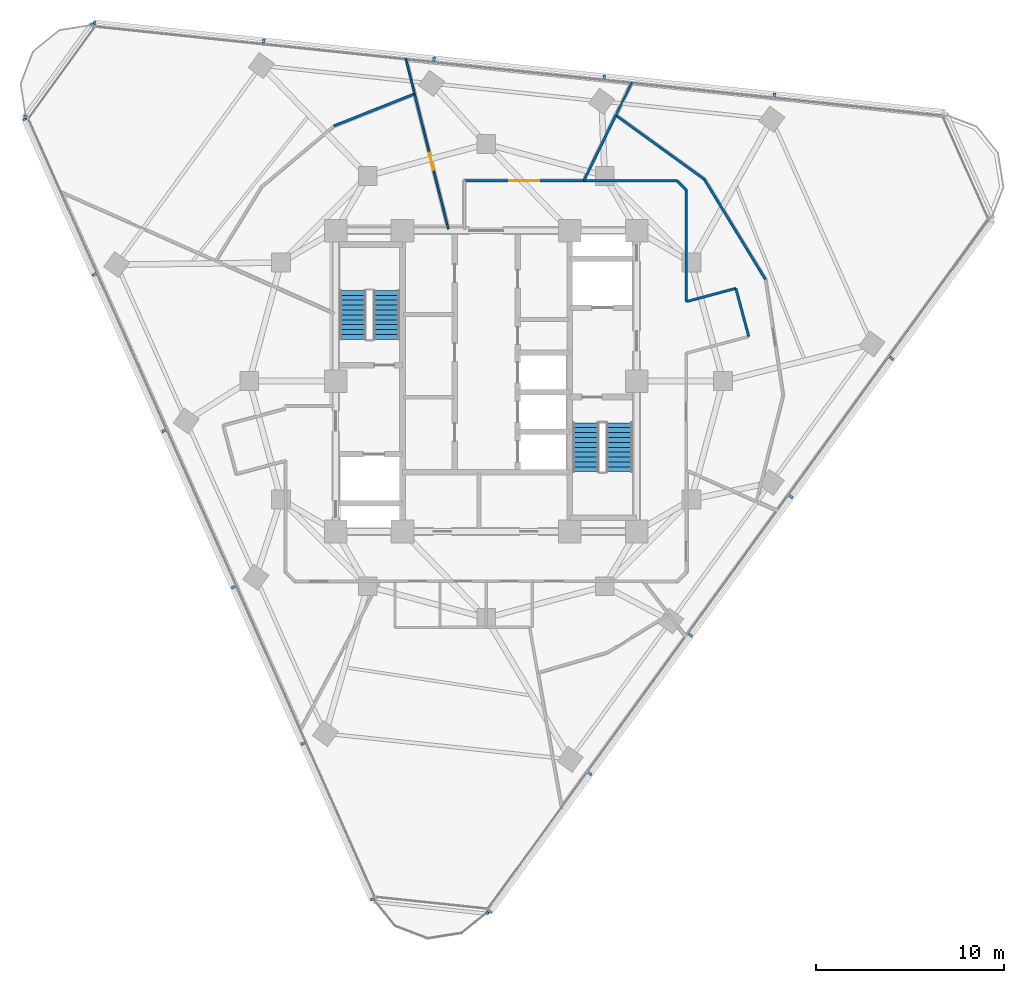
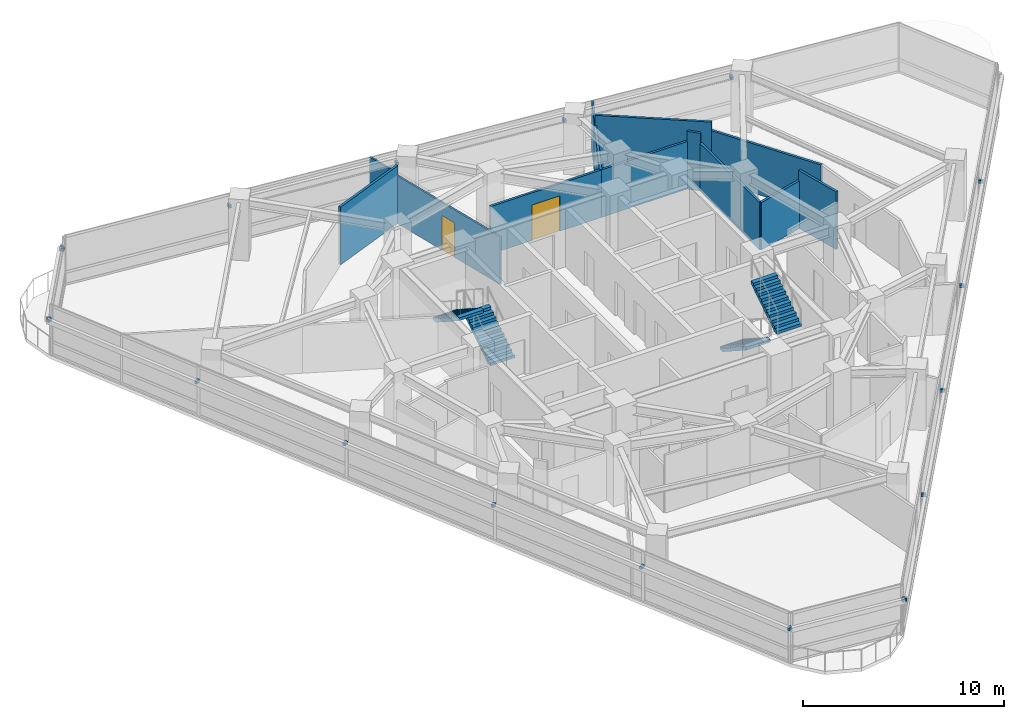
# One storey, part 10 of 15: 19 discrete accessories, 13 walls, 4 stair flights, 2 doors, 2 openings, 2 elements without a shape of their own.
"""IFC4 building model written with IfcOpenShell, lengths in metres."""

from ifc_helpers import new_model, si_unit, direction, frame, frame_2d, origin, origin_2d, place, context, subcontext, project, spatial, polyline, rectangle, outline, extrude, material, layer, layer_set, type_object, element, fill, aggregate, save


model = new_model("IFC4")

# Units and contexts
model_context = context("Model", 3, precision=1e-05, world=origin(), true_north=direction((0.0, 1.0)))
body_context = subcontext(model_context, "Body", "Model", "MODEL_VIEW")
ifc_project = project(units=[si_unit("LENGTHUNIT", "METRE"), si_unit("AREAUNIT", "SQUARE_METRE"), si_unit("VOLUMEUNIT", "CUBIC_METRE"), si_unit("PLANEANGLEUNIT", "RADIAN"), si_unit("MASSUNIT", "GRAM", prefix="KILO")], contexts=[model_context])

# Site, building, storey
site_placement = place(None, origin())
site = spatial("IfcSite", under=ifc_project, at=site_placement, CompositionType="ELEMENT")
building_placement = place(site_placement, origin())
building = spatial("IfcBuilding", under=site, at=building_placement, Name="Terralouvre Media Tower", CompositionType="ELEMENT")
storey_placement = place(building_placement, frame((0.0, 0.0, 230.0)))
storey = spatial("IfcBuildingStorey", under=building, at=storey_placement, Name="L59", CompositionType="ELEMENT", Elevation=230.0)

# Wall
ifc_material_1 = material(Name="Low-iron laminated double glazing with solar-control coating", Category="glass")
ifc_layer_1 = layer(ifc_material_1, 0.10009765625, Name="Demountable Glazed Office Partition PT-GL100")
ifc_layer_set_1 = layer_set([ifc_layer_1], Name="Low-iron laminated double glazing with solar-control coating")
wall_type_1 = type_object("IfcWallType", Name="Demountable Glazed Office Partition PT-GL100", PredefinedType="MOVABLE", material=ifc_layer_set_1)
wall_1_placement = place(storey_placement, frame((7.74658203125, 15.882080078125, 0.0), z_axis=(0.0, 0.0, 1.0), x_axis=(-0.438571753549, -0.898696176129, 0.0)))
element("IfcWall", 1, at=wall_1_placement, inside=storey, type_object=wall_type_1, Name="L59 Interior Partition 048", PredefinedType="MOVABLE", context=body_context, shape_type="SweptSolid", body=[
    extrude(rectangle(XDim=1.9482421875, YDim=0.10009765625, at=frame_2d((0.97412109375, 0.0))), origin(), (0.0, 0.0, 1.0), 3.034912109375),
])

# Wall, opening, door
wall_2_placement = place(storey_placement, frame((-3.80810546875, 15.27099609375, 0.0), z_axis=(0.0, 0.0, 1.0), x_axis=(0.241993010569, -0.970277992555, 0.0)))
wall_2 = element("IfcWall", 2, at=wall_2_placement, inside=storey, type_object=wall_type_1, Name="L59 Interior Partition 049", PredefinedType="MOVABLE", context=body_context, shape_type="SweptSolid", body=[
    extrude(rectangle(XDim=7.4111328125, YDim=0.10009765625, at=frame_2d((3.70556640625, 0.0))), origin(), (0.0, 0.0, 1.0), 2.885009765625),
])
opening_1_placement = place(wall_2_placement, frame((3.24560546875, 0.0, 0.0)))
opening_1 = element("IfcOpeningElement", 3, at=opening_1_placement, cuts=wall_2, Name="Opening ID-03-92X210", PredefinedType="OPENING", context=body_context, shape_type="SweptSolid", body=[
    extrude(rectangle(XDim=0.919921875, YDim=2.10009765625, at=frame_2d((0.4599609375, 1.050048828125))), frame((0.0, 0.06005859375, 0.0), z_axis=(0.0, -1.0, 0.0), x_axis=(1.0, 0.0, 0.0)), (0.0, 0.0, 1.0), 0.1201171875),
])
ifc_material_2 = material(Name="Engineered hardwood acoustic timber leaf", Category="wood")
door_type_1 = type_object("IfcDoorType", Name="Accessible Restroom and Suite Door ID-03 (920x2100)", OperationType="NOTDEFINED", PredefinedType="DOOR", material=ifc_material_2)
door_1_placement = place(opening_1_placement, origin())
door_1 = element("IfcDoor", 4, at=door_1_placement, inside=storey, type_object=door_type_1, Name="L59 Fact-Check Reference Library 9 Door", OperationType="SINGLE_SWING_LEFT", OverallHeight=2.10009765625, OverallWidth=0.919921875, PredefinedType="DOOR", context=body_context, shape_type="SweptSolid", body=[
    extrude(rectangle(XDim=0.919921875, YDim=2.10009765625, at=frame_2d((0.4599609375, 1.050048828125))), frame((0.0, 0.02490234375, 0.0), z_axis=(0.0, -1.0, 0.0), x_axis=(1.0, 0.0, 0.0)), (0.0, 0.0, 1.0), 0.050048828125),
])
fill(opening_1, door_1)

# Walls
wall_3_placement = place(storey_placement, frame((-4.275390625, 17.1455078125, 0.0), z_axis=(0.0, 0.0, 1.0), x_axis=(0.241881394388, -0.970305823464, 0.0)))
element("IfcWall", 5, at=wall_3_placement, inside=storey, type_object=wall_type_1, Name="L59 Interior Partition 050", PredefinedType="MOVABLE", context=body_context, shape_type="SweptSolid", body=[
    extrude(rectangle(XDim=1.931884765625, YDim=0.10009765625, at=frame_2d((0.9658203125, 0.0))), origin(), (0.0, 0.0, 1.0), 3.034912109375),
])
ifc_material_3 = material(Name="Fire-rated gypsum board drywall partition")
ifc_layer_2 = layer(ifc_material_3, 0.135009765625, Name="Newsroom Acoustic Partition PT-135")
ifc_layer_set_2 = layer_set([ifc_layer_2], Name="Fire-rated gypsum board drywall partition")
wall_type_2 = type_object("IfcWallType", Name="Newsroom Acoustic Partition PT-135", PredefinedType="PARTITIONING", material=ifc_layer_set_2)
wall_4_placement = place(storey_placement, frame((13.9619140625, 2.368896484375, 0.0), z_axis=(0.0, 0.0, 1.0), x_axis=(-0.258413725385, 0.966034340245, 0.0)))
element("IfcWall", 6, at=wall_4_placement, inside=storey, type_object=wall_type_2, Name="L59 Interior Partition 010", PredefinedType="PARTITIONING", context=body_context, shape_type="SweptSolid", body=[
    extrude(rectangle(XDim=2.650146484375, YDim=0.135009765625, at=frame_2d((1.3251953125, 0.0))), origin(), (0.0, 0.0, 1.0), 3.5),
])
wall_5_placement = place(storey_placement, frame((13.277099609375, 4.928955078125, 0.0), z_axis=(0.0, 0.0, 1.0), x_axis=(-0.965934830229, -0.258785439601, 0.0)))
element("IfcWall", 7, at=wall_5_placement, inside=storey, type_object=wall_type_2, Name="L59 Interior Partition 011", PredefinedType="PARTITIONING", context=body_context, shape_type="SweptSolid", body=[
    extrude(rectangle(XDim=2.719970703125, YDim=0.135009765625, at=frame_2d((1.35986328125, 0.0))), origin(), (0.0, 0.0, 1.0), 2.885009765625),
])
wall_6_placement = place(storey_placement, frame((10.64990234375, 4.22509765625, 0.0), z_axis=(0.0, 0.0, 1.0), x_axis=(0.0, 1.0, 0.0)))
element("IfcWall", 8, at=wall_6_placement, inside=storey, type_object=wall_type_2, Name="L59 Interior Partition 012", PredefinedType="PARTITIONING", context=body_context, shape_type="SweptSolid", body=[
    extrude(rectangle(XDim=5.9248046875, YDim=0.135009765625, at=frame_2d((2.96240234375, 0.0))), origin(), (0.0, 0.0, 1.0), 2.885009765625),
])
wall_7_placement = place(storey_placement, frame((10.64990234375, 10.14990234375, 0.0), z_axis=(0.0, 0.0, 1.0), x_axis=(-0.707106781187, 0.707106781187, 0.0)))
element("IfcWall", 9, at=wall_7_placement, inside=storey, type_object=wall_type_2, Name="L59 Interior Partition 013", PredefinedType="PARTITIONING", context=body_context, shape_type="SweptSolid", body=[
    extrude(rectangle(XDim=0.70703125, YDim=0.135009765625, at=frame_2d((0.353515625, 0.0))), origin(), (0.0, 0.0, 1.0), 3.5),
])
wall_8_placement = place(storey_placement, frame((10.14990234375, 10.64990234375, 0.0), z_axis=(0.0, 0.0, 1.0), x_axis=(-1.0, 0.0, 0.0)))
element("IfcWall", 10, at=wall_8_placement, inside=storey, type_object=wall_type_2, Name="L59 Interior Partition 014", PredefinedType="PARTITIONING", context=body_context, shape_type="SweptSolid", body=[
    extrude(rectangle(XDim=4.955810546875, YDim=0.135009765625, at=frame_2d((2.47802734375, 0.0))), origin(), (0.0, 0.0, 1.0), 2.885009765625),
])

# Wall, opening, door
wall_9_placement = place(storey_placement, frame((5.194091796875, 10.64990234375, 0.0), z_axis=(0.0, 0.0, 1.0), x_axis=(-1.0, 0.0, 0.0)))
wall_9 = element("IfcWall", 11, at=wall_9_placement, inside=storey, type_object=wall_type_2, Name="L59 Interior Partition 023", PredefinedType="PARTITIONING", context=body_context, shape_type="SweptSolid", body=[
    extrude(rectangle(XDim=6.343994140625, YDim=0.135009765625, at=frame_2d((3.171875, 0.0))), origin(), (0.0, 0.0, 1.0), 2.885009765625),
])
opening_2_placement = place(wall_9_placement, frame((2.3720703125, 0.0, 0.0)))
opening_2 = element("IfcOpeningElement", 12, at=opening_2_placement, cuts=wall_9, Name="Opening ID-04-160X215", PredefinedType="OPENING", context=body_context, shape_type="SweptSolid", body=[
    extrude(rectangle(XDim=1.60009765625, YDim=2.14990234375, at=frame_2d((0.800048828125, 1.074951171875))), frame((0.0, 0.077392578125, 0.0), z_axis=(0.0, -1.0, 0.0), x_axis=(1.0, 0.0, 0.0)), (0.0, 0.0, 1.0), 0.155029296875),
])
ifc_material_4 = material(Name="Engineered hardwood acoustic timber leaf", Category="wood")
door_type_2 = type_object("IfcDoorType", Name="Conference Double Acoustic Door ID-04 (1600x2150)", OperationType="DOUBLE_DOOR_SINGLE_SWING", PredefinedType="DOOR", material=ifc_material_4)
door_2_placement = place(opening_2_placement, origin())
door_2 = element("IfcDoor", 13, at=door_2_placement, inside=storey, type_object=door_type_2, Name="L59 Legal Vetting Conference Room 8 Door", OperationType="DOUBLE_DOOR_SINGLE_SWING", OverallHeight=2.14990234375, OverallWidth=1.60009765625, PredefinedType="DOOR", context=body_context, shape_type="SweptSolid", body=[
    extrude(rectangle(XDim=1.60009765625, YDim=2.14990234375, at=frame_2d((0.800048828125, 1.074951171875))), frame((0.0, 0.02490234375, 0.0), z_axis=(0.0, -1.0, 0.0), x_axis=(1.0, 0.0, 0.0)), (0.0, 0.0, 1.0), 0.050048828125),
])
fill(opening_2, door_2)

# Walls
wall_10_placement = place(storey_placement, frame((14.846923828125, 5.404052734375, 0.0), z_axis=(0.0, 0.0, 1.0), x_axis=(-0.520646426704, 0.853772392597, 0.0)))
element("IfcWall", 14, at=wall_10_placement, inside=storey, type_object=wall_type_2, Name="L59 Interior Partition 031", PredefinedType="PARTITIONING", context=body_context, shape_type="SweptSolid", body=[
    extrude(rectangle(XDim=6.232421875, YDim=0.135009765625, at=frame_2d((3.1162109375, 0.0))), origin(), (0.0, 0.0, 1.0), 2.985107421875),
])
wall_11_placement = place(storey_placement, frame((11.60205078125, 10.72509765625, 0.0), z_axis=(0.0, 0.0, 1.0), x_axis=(-0.810322435649, 0.58598425771, 0.0)))
element("IfcWall", 15, at=wall_11_placement, inside=storey, type_object=wall_type_2, Name="L59 Interior Partition 032", PredefinedType="PARTITIONING", context=body_context, shape_type="SweptSolid", body=[
    extrude(rectangle(XDim=5.8125, YDim=0.135009765625, at=frame_2d((2.90625, 0.0))), origin(), (0.0, 0.0, 1.0), 3.5),
])
wall_12_placement = place(storey_placement, frame((6.89208984375, 14.131103515625, 0.0), z_axis=(0.0, 0.0, 1.0), x_axis=(-0.438392584888, -0.898783589923, 0.0)))
element("IfcWall", 16, at=wall_12_placement, inside=storey, type_object=wall_type_2, Name="L59 Interior Partition 033", PredefinedType="PARTITIONING", context=body_context, shape_type="SweptSolid", body=[
    extrude(rectangle(XDim=3.873291015625, YDim=0.135009765625, at=frame_2d((1.9365234375, 0.0))), origin(), (0.0, 0.0, 1.0), 2.885009765625),
])
wall_13_placement = place(storey_placement, frame((-3.80810546875, 15.27099609375, 0.0), z_axis=(0.0, 0.0, 1.0), x_axis=(-0.929356809345, -0.369182774414, 0.0)))
element("IfcWall", 17, at=wall_13_placement, inside=storey, type_object=wall_type_2, Name="L59 Interior Partition 051", PredefinedType="PARTITIONING", context=body_context, shape_type="SweptSolid", body=[
    extrude(rectangle(XDim=4.615966796875, YDim=0.135009765625, at=frame_2d((2.30810546875, 0.0))), origin(), (0.0, 0.0, 1.0), 3.5),
])

# Stair, stair flights
ifc_material_5 = material(Name="Concrete C45/55", Category="concrete")
stair_type_1 = type_object("IfcStairType", Name="Dogleg Stair Assembly ST-01", PredefinedType="HALF_TURN_STAIR", material=ifc_material_5)
stair_1_placement = place(storey_placement, origin())
stair_1 = element("IfcStair", 18, at=stair_1_placement, inside=storey, type_object=stair_type_1, Name="L59 Core Pressurised Exit Stair ST-01", PredefinedType="HALF_TURN_STAIR")
ifc_material_6 = material(Name="Concrete C45/55", Category="concrete")
stair_flight_type = type_object("IfcStairFlightType", Name="Reinforced Concrete Stair Flight SF-RC1", PredefinedType="STRAIGHT", material=ifc_material_6)
stair_flight_1_placement = place(storey_placement, frame((-5.300048828125, 2.219970703125, 0.0), z_axis=(0.0, 0.0, 1.0), x_axis=(0.0, 1.0, 0.0)))
stair_flight_1 = element("IfcStairFlight", 19, at=stair_flight_1_placement, type_object=stair_flight_type, Name="ST-01 flight 1", NumberOfRisers=11, NumberOfTreads=10, PredefinedType="STRAIGHT", RiserHeight=0.168181818, TreadLength=0.26, context=body_context, shape_type="SweptSolid", body=[
    extrude(outline(polyline([(0.0, 0.0), (0.0, 0.168212890625), (0.260009765625, 0.168212890625), (0.260009765625, 0.33642578125), (0.52001953125, 0.33642578125), (0.52001953125, 0.504638671875), (0.780029296875, 0.504638671875), (0.780029296875, 0.672607421875), (1.0400390625, 0.672607421875), (1.0400390625, 0.8408203125), (1.300048828125, 0.8408203125), (1.300048828125, 1.009033203125), (1.56005859375, 1.009033203125), (1.56005859375, 1.17724609375), (1.820068359375, 1.17724609375), (1.820068359375, 1.345458984375), (2.080078125, 1.345458984375), (2.080078125, 1.513671875), (2.340087890625, 1.513671875), (2.340087890625, 1.681884765625), (2.60009765625, 1.681884765625), (2.60009765625, 1.85009765625), (2.60009765625, 1.503173828125), (0.27587890625, 0.0), (0.0, 0.0)])), frame((0.0, 0.699951171875, 0.0), z_axis=(0.0, -1.0, 0.0), x_axis=(1.0, 0.0, 0.0)), (0.0, 0.0, 1.0), 1.39990234375),
])
stair_flight_2_placement = place(storey_placement, frame((-7.080078125, 4.820068359375, 1.85009765625), z_axis=(0.0, 0.0, 1.0), x_axis=(0.0, -1.0, 0.0)))
stair_flight_2 = element("IfcStairFlight", 20, at=stair_flight_2_placement, type_object=stair_flight_type, Name="ST-01 flight 2", NumberOfRisers=11, NumberOfTreads=10, PredefinedType="STRAIGHT", RiserHeight=0.168181818, TreadLength=0.26, context=body_context, shape_type="SweptSolid", body=[
    extrude(outline(polyline([(0.0, 0.0), (0.0, 0.168212890625), (0.260009765625, 0.168212890625), (0.260009765625, 0.33642578125), (0.52001953125, 0.33642578125), (0.52001953125, 0.504638671875), (0.780029296875, 0.504638671875), (0.780029296875, 0.672607421875), (1.0400390625, 0.672607421875), (1.0400390625, 0.8408203125), (1.300048828125, 0.8408203125), (1.300048828125, 1.009033203125), (1.56005859375, 1.009033203125), (1.56005859375, 1.17724609375), (1.820068359375, 1.17724609375), (1.820068359375, 1.345458984375), (2.080078125, 1.345458984375), (2.080078125, 1.513671875), (2.340087890625, 1.513671875), (2.340087890625, 1.681884765625), (2.60009765625, 1.681884765625), (2.60009765625, 1.85009765625), (2.60009765625, 1.503173828125), (0.27587890625, 0.0), (0.0, 0.0)])), frame((0.0, 0.699951171875, 0.0), z_axis=(0.0, -1.0, 0.0), x_axis=(1.0, 0.0, 0.0)), (0.0, 0.0, 1.0), 1.39990234375),
])
aggregate(stair_1, [stair_flight_1, stair_flight_2])

ifc_material_7 = material(Name="Concrete C45/55", Category="concrete")
stair_type_2 = type_object("IfcStairType", Name="Dogleg Stair Assembly ST-02", PredefinedType="HALF_TURN_STAIR", material=ifc_material_7)
stair_2_placement = place(storey_placement, origin())
stair_2 = element("IfcStair", 21, at=stair_2_placement, inside=storey, type_object=stair_type_2, Name="L59 Core Pressurised Exit Stair ST-02", PredefinedType="HALF_TURN_STAIR")
stair_flight_3_placement = place(storey_placement, frame((5.300048828125, -2.219970703125, 0.0), z_axis=(0.0, 0.0, 1.0), x_axis=(0.0, -1.0, 0.0)))
stair_flight_3 = element("IfcStairFlight", 22, at=stair_flight_3_placement, type_object=stair_flight_type, Name="ST-02 flight 1", NumberOfRisers=11, NumberOfTreads=10, PredefinedType="STRAIGHT", RiserHeight=0.168181818, TreadLength=0.26, context=body_context, shape_type="SweptSolid", body=[
    extrude(outline(polyline([(0.0, 0.0), (0.0, 0.168212890625), (0.260009765625, 0.168212890625), (0.260009765625, 0.33642578125), (0.52001953125, 0.33642578125), (0.52001953125, 0.504638671875), (0.780029296875, 0.504638671875), (0.780029296875, 0.672607421875), (1.0400390625, 0.672607421875), (1.0400390625, 0.8408203125), (1.300048828125, 0.8408203125), (1.300048828125, 1.009033203125), (1.56005859375, 1.009033203125), (1.56005859375, 1.17724609375), (1.820068359375, 1.17724609375), (1.820068359375, 1.345458984375), (2.080078125, 1.345458984375), (2.080078125, 1.513671875), (2.340087890625, 1.513671875), (2.340087890625, 1.681884765625), (2.60009765625, 1.681884765625), (2.60009765625, 1.85009765625), (2.60009765625, 1.503173828125), (0.27587890625, 0.0), (0.0, 0.0)])), frame((0.0, 0.699951171875, 0.0), z_axis=(0.0, -1.0, 0.0), x_axis=(1.0, 0.0, 0.0)), (0.0, 0.0, 1.0), 1.39990234375),
])
stair_flight_4_placement = place(storey_placement, frame((7.080078125, -4.820068359375, 1.85009765625), z_axis=(0.0, 0.0, 1.0), x_axis=(0.0, 1.0, 0.0)))
stair_flight_4 = element("IfcStairFlight", 23, at=stair_flight_4_placement, type_object=stair_flight_type, Name="ST-02 flight 2", NumberOfRisers=11, NumberOfTreads=10, PredefinedType="STRAIGHT", RiserHeight=0.168181818, TreadLength=0.26, context=body_context, shape_type="SweptSolid", body=[
    extrude(outline(polyline([(0.0, 0.0), (0.0, 0.168212890625), (0.260009765625, 0.168212890625), (0.260009765625, 0.33642578125), (0.52001953125, 0.33642578125), (0.52001953125, 0.504638671875), (0.780029296875, 0.504638671875), (0.780029296875, 0.672607421875), (1.0400390625, 0.672607421875), (1.0400390625, 0.8408203125), (1.300048828125, 0.8408203125), (1.300048828125, 1.009033203125), (1.56005859375, 1.009033203125), (1.56005859375, 1.17724609375), (1.820068359375, 1.17724609375), (1.820068359375, 1.345458984375), (2.080078125, 1.345458984375), (2.080078125, 1.513671875), (2.340087890625, 1.513671875), (2.340087890625, 1.681884765625), (2.60009765625, 1.681884765625), (2.60009765625, 1.85009765625), (2.60009765625, 1.503173828125), (0.27587890625, 0.0), (0.0, 0.0)])), frame((0.0, 0.699951171875, 0.0), z_axis=(0.0, -1.0, 0.0), x_axis=(1.0, 0.0, 0.0)), (0.0, 0.0, 1.0), 1.39990234375),
])
aggregate(stair_2, [stair_flight_3, stair_flight_4])

# Discrete accessories
ifc_material_8 = material(Name="Anodised extruded aluminium 6063-T6", Category="aluminium")
discrete_accessory_type = type_object("IfcDiscreteAccessoryType", Name="Mullion Stand-Off Baguette Fixing Bracket BK-01", PredefinedType="BRACKET", material=ifc_material_8)
for number, where, z_axis, x_axis, name in (
    (24, (0.180419921875, -28.205322265625, 2.07421875), (0.0, 0.0, 1.0), (0.587785300879, 0.809016959074, 0.0), "CW-L59-F0 Baguette Outrigger Bracket 1.01"),
    (25, (5.50732421875, -20.87353515625, 2.07421875), (0.0, 0.0, 1.0), (0.587785300879, 0.809016959074, 0.0), "CW-L59-F0 Baguette Outrigger Bracket 1.02"),
    (26, (10.856201171875, -13.511474609375, 2.07421875), (0.0, 0.0, 1.0), (0.587785300879, 0.809016959074, 0.0), "CW-L59-F0 Baguette Outrigger Bracket 1.03"),
    (27, (16.205078125, -6.1494140625, 2.07421875), (0.0, 0.0, 1.0), (0.587785300879, 0.809016959074, 0.0), "CW-L59-F0 Baguette Outrigger Bracket 1.04"),
    (28, (21.553955078125, 1.212646484375, 2.07421875), (0.0, 0.0, 1.0), (0.587785300879, 0.809016959074, 0.0), "CW-L59-F0 Baguette Outrigger Bracket 1.05"),
    (29, (15.323486328125, 15.206298828125, 2.07421875), (0.0, 0.0, 1.0), (-0.994521885028, 0.104528561651, 0.0), "CW-L59-F1 Baguette Outrigger Bracket 1.02"),
    (30, (6.273193359375, 16.157470703125, 2.07421875), (0.0, 0.0, 1.0), (-0.994521885028, 0.104528561651, 0.0), "CW-L59-F1 Baguette Outrigger Bracket 1.03"),
    (31, (-2.77685546875, 17.108642578125, 2.07421875), (0.0, 0.0, 1.0), (-0.994521885028, 0.104528561651, 0.0), "CW-L59-F1 Baguette Outrigger Bracket 1.04"),
    (32, (-11.826904296875, 18.059814453125, 2.07421875), (0.0, 0.0, 1.0), (-0.994521885028, 0.104528561651, 0.0), "CW-L59-F1 Baguette Outrigger Bracket 1.05"),
    (33, (-20.83984375, 19.007080078125, 2.07421875), (0.0, 0.0, 1.0), (-0.994521885028, 0.104528561651, 0.0), "CW-L59-F1 Baguette Outrigger Bracket 1.06"),
    (34, (-24.516845703125, 13.9462890625, 2.07421875), (0.0, 0.0, 1.0), (0.406736679636, -0.913545441365, 0.0), "CW-L59-F2 Baguette Outrigger Bracket 1.01"),
    (35, (-20.830810546875, 5.667236328125, 2.07421875), (0.0, 0.0, 1.0), (0.406736679636, -0.913545441365, 0.0), "CW-L59-F2 Baguette Outrigger Bracket 1.02"),
    (36, (-17.12939453125, -2.64599609375, 2.07421875), (0.0, 0.0, 1.0), (0.406736679636, -0.913545441365, 0.0), "CW-L59-F2 Baguette Outrigger Bracket 1.03"),
    (37, (-13.42822265625, -10.959228515625, 2.07421875), (0.0, 0.0, 1.0), (0.406736679636, -0.913545441365, 0.0), "CW-L59-F2 Baguette Outrigger Bracket 1.04"),
    (38, (-9.726806640625, -19.2724609375, 2.07421875), (0.0, 0.0, 1.0), (0.406736679636, -0.913545441365, 0.0), "CW-L59-F2 Baguette Outrigger Bracket 1.05"),
    (39, (-6.040771484375, -27.551513671875, 2.07421875), (0.0, 0.0, 1.0), (0.406736679636, -0.913545441365, 0.0), "CW-L59-F2 Baguette Outrigger Bracket 1.06"),
    (40, (0.086669921875, -28.22802734375, 2.07421875), (0.0, 0.0, 1.0), (0.994521944551, -0.104527995322, 0.0), "CW-L59-C0 Baguette Outrigger Bracket 1.02"),
    (41, (-20.919677734375, 18.952880859375, 2.07421875), (0.0, 0.0, 1.0), (-0.58778588998, -0.809016531067, 0.0), "CW-L59-C2 Baguette Outrigger Bracket 1.01"),
    (42, (-24.48974609375, 14.0390625, 2.07421875), (0.0, 0.0, 1.0), (-0.58778588998, -0.809016531067, 0.0), "CW-L59-C2 Baguette Outrigger Bracket 1.02"),
):
    element("IfcDiscreteAccessory", number, at=place(storey_placement, frame(where, z_axis=z_axis, x_axis=x_axis)), inside=storey, type_object=discrete_accessory_type, Name=name, PredefinedType="BRACKET", context=body_context, shape_type="SweptSolid", body=[
        extrude(rectangle(XDim=0.139892578125, YDim=0.239990234375, at=origin_2d()), origin(), (0.0, 0.0, 1.0), 0.179931640625),
    ])

save(model, "model.ifc")
